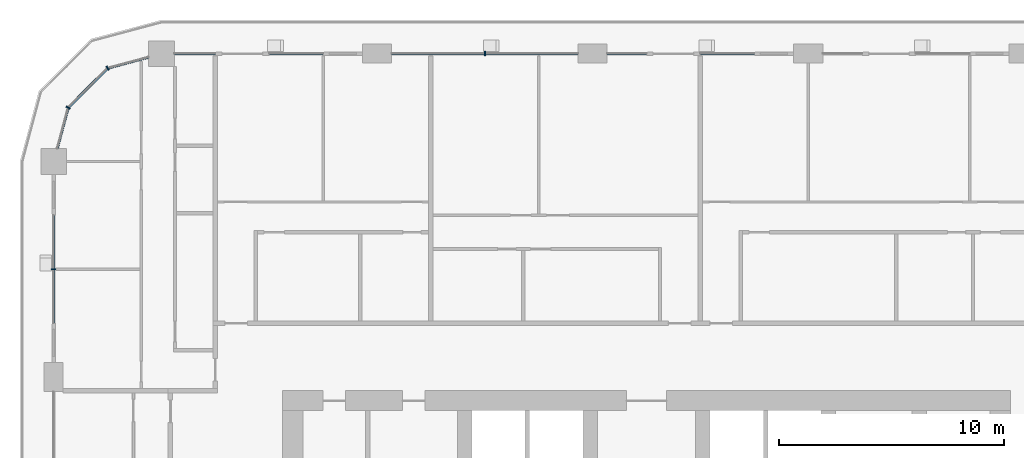
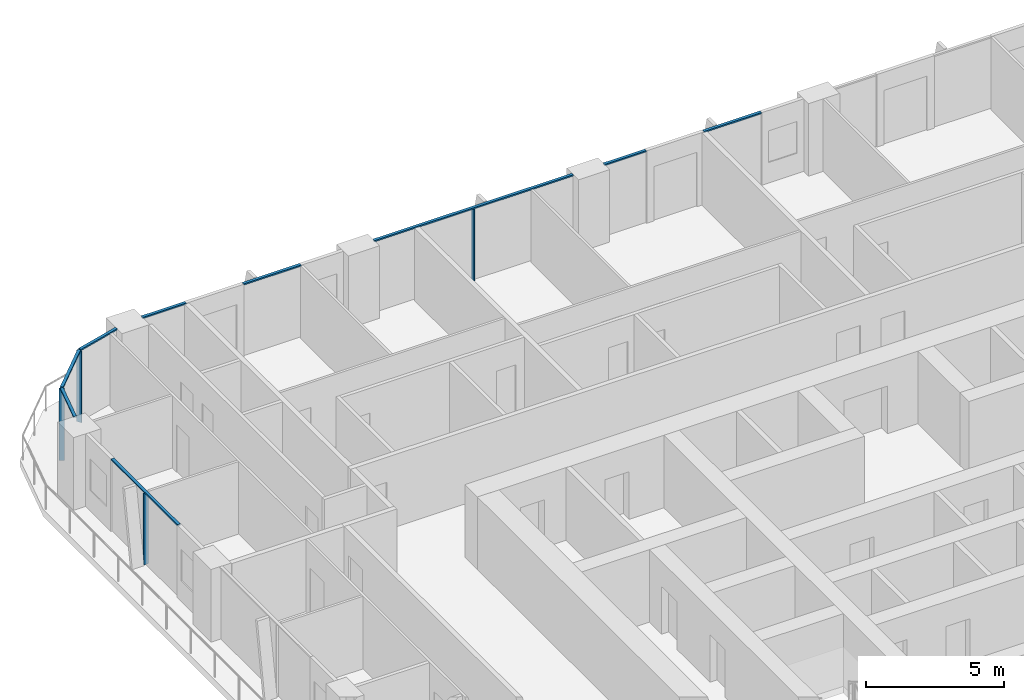
# One storey, part 5 of 22: 13 members, 5 elements without a shape of their own.
"""IFC4 building model written with IfcOpenShell, lengths in metres."""

from ifc_helpers import new_model, si_unit, direction, frame, origin, origin_2d, place, context, subcontext, project, spatial, rectangle, extrude, material, layer, layer_set, material_profile, profile_set, type_object, element, aggregate, save


model = new_model("IFC4")

# Units and contexts
model_context = context("Model", 3, precision=1e-05, world=origin(), true_north=direction((0.0, 1.0)))
body_context = subcontext(model_context, "Body", "Model", "MODEL_VIEW")
ifc_project = project(units=[si_unit("LENGTHUNIT", "METRE"), si_unit("AREAUNIT", "SQUARE_METRE"), si_unit("VOLUMEUNIT", "CUBIC_METRE"), si_unit("PLANEANGLEUNIT", "RADIAN"), si_unit("MASSUNIT", "GRAM", prefix="KILO")], contexts=[model_context])

# Site, building, storey
site_placement = place(None, origin())
site = spatial("IfcSite", under=ifc_project, at=site_placement, CompositionType="ELEMENT")
building_placement = place(site_placement, origin())
building = spatial("IfcBuilding", under=site, at=building_placement, Name="Madar Terraces", CompositionType="ELEMENT")
storey_placement = place(building_placement, frame((0.0, 0.0, 99.699951171875)))
storey = spatial("IfcBuildingStorey", under=building, at=storey_placement, Name="L25", CompositionType="ELEMENT", Elevation=99.699951171875)

# Curtain wall, member
ifc_material_1 = material(Name="Glass, ceramic frit dark grey, with black aluminium frame", Category="aluminium")
ifc_layer = layer(ifc_material_1, 0.199951171875)
ifc_layer_set = layer_set([ifc_layer], Name="Facade curtain wall, fritted glass")
curtain_wall_type = type_object("IfcCurtainWallType", Name="Facade curtain wall, fritted glass", PredefinedType="NOTDEFINED", material=ifc_layer_set)
curtain_wall_1_placement = place(storey_placement, origin())
curtain_wall_1 = element("IfcCurtainWall", 1, at=curtain_wall_1_placement, inside=storey, type_object=curtain_wall_type, Name="Outer skin curtain wall north bay 4", PredefinedType="NOTDEFINED")
ifc_material_2 = material(Name="Aluminium, black anodised", Category="aluminium")
ifc_material_profile_1 = material_profile(ifc_material_2, rectangle(XDim=0.199951171875, YDim=0.06005859375, at=origin_2d()), Name="Facade mullion 60x200")
ifc_profile_set_1 = profile_set([ifc_material_profile_1], Name="Aluminium, black anodised")
member_type_1 = type_object("IfcMemberType", Name="Facade mullion 60x200", PredefinedType="MULLION", material=ifc_profile_set_1)
member_1_placement = place(storey_placement, frame((24.0, 52.800048828125, 0.0), z_axis=(0.0, 0.0, 1.0), x_axis=(0.0, -1.0, 0.0)))
member_1 = element("IfcMember", 2, at=member_1_placement, type_object=member_type_1, Name="Mullion 1", PredefinedType="MULLION", context=body_context, shape_type="SweptSolid", body=[
    extrude(rectangle(XDim=0.199951171875, YDim=0.06005859375, at=origin_2d()), origin(), (0.0, 0.0, 1.0), 3.14013671875),
])

curtain_wall_2_placement = place(storey_placement, origin())
curtain_wall_2 = element("IfcCurtainWall", 3, at=curtain_wall_2_placement, inside=storey, type_object=curtain_wall_type, Name="Outer skin curtain wall west bay 1", PredefinedType="NOTDEFINED")
member_2_placement = place(storey_placement, frame((4.800048828125, 43.199951171875, 0.0), z_axis=(0.0, 0.0, 1.0), x_axis=(1.0, 0.0, 0.0)))
member_2 = element("IfcMember", 4, at=member_2_placement, type_object=member_type_1, Name="Mullion 1", PredefinedType="MULLION", context=body_context, shape_type="SweptSolid", body=[
    extrude(rectangle(XDim=0.199951171875, YDim=0.06005859375, at=origin_2d()), origin(), (0.0, 0.0, 1.0), 3.14013671875),
])

# Curtain wall, members
curtain_wall_3_placement = place(storey_placement, origin())
curtain_wall_3 = element("IfcCurtainWall", 5, at=curtain_wall_3_placement, inside=storey, type_object=curtain_wall_type, Name="Outer skin curtain wall north-west corner", PredefinedType="NOTDEFINED")
member_3_placement = place(storey_placement, frame((7.199951171875, 52.156982421875, 0.0), z_axis=(0.0, 0.0, 1.0), x_axis=(0.499999989586, -0.866025409797, 0.0)))
member_3 = element("IfcMember", 6, at=member_3_placement, type_object=member_type_1, Name="Mullion 1", PredefinedType="MULLION", context=body_context, shape_type="SweptSolid", body=[
    extrude(rectangle(XDim=0.199951171875, YDim=0.06005859375, at=origin_2d()), origin(), (0.0, 0.0, 1.0), 3.14013671875),
])
member_4_placement = place(storey_placement, frame((5.443115234375, 50.39990234375, 0.0), z_axis=(0.0, 0.0, 1.0), x_axis=(0.866025409797, -0.499999989586, 0.0)))
member_4 = element("IfcMember", 7, at=member_4_placement, type_object=member_type_1, Name="Mullion 2", PredefinedType="MULLION", context=body_context, shape_type="SweptSolid", body=[
    extrude(rectangle(XDim=0.199951171875, YDim=0.06005859375, at=origin_2d()), origin(), (0.0, 0.0, 1.0), 3.14013671875),
])

curtain_wall_4_placement = place(storey_placement, origin())
curtain_wall_4 = element("IfcCurtainWall", 8, at=curtain_wall_4_placement, inside=storey, type_object=curtain_wall_type, Name="Outer skin curtain wall north bay 3", PredefinedType="NOTDEFINED")
ifc_material_3 = material(Name="Aluminium, black anodised", Category="aluminium")
ifc_material_profile_2 = material_profile(ifc_material_3, rectangle(XDim=0.1201171875, YDim=0.06005859375, at=origin_2d()), Name="Facade transom 60x120")
ifc_profile_set_2 = profile_set([ifc_material_profile_2], Name="Aluminium, black anodised")
member_type_2 = type_object("IfcMemberType", Name="Facade transom 60x120", PredefinedType="USERDEFINED", material=ifc_profile_set_2)
member_5_placement = place(storey_placement, frame((36.0, 52.800048828125, 3.170166015625), z_axis=(-1.0, 0.0, 0.0), x_axis=(0.0, -1.0, 0.0)))
member_5 = element("IfcMember", 9, at=member_5_placement, type_object=member_type_2, Name="Transom 1", ObjectType="TRANSOM", PredefinedType="USERDEFINED", context=body_context, shape_type="SweptSolid", body=[
    extrude(rectangle(XDim=0.1201171875, YDim=0.06005859375, at=origin_2d()), origin(), (0.0, 0.0, 1.0), 2.39990234375),
])
member_6_placement = place(storey_placement, frame((31.199951171875, 52.800048828125, 3.170166015625), z_axis=(-1.0, 0.0, 0.0), x_axis=(0.0, -1.0, 0.0)))
member_6 = element("IfcMember", 10, at=member_6_placement, type_object=member_type_2, Name="Transom 2", ObjectType="TRANSOM", PredefinedType="USERDEFINED", context=body_context, shape_type="SweptSolid", body=[
    extrude(rectangle(XDim=0.1201171875, YDim=0.06005859375, at=origin_2d()), origin(), (0.0, 0.0, 1.0), 1.75),
])
aggregate(curtain_wall_4, [member_5, member_6])

# Member
member_7_placement = place(storey_placement, frame((28.14990234375, 52.800048828125, 3.170166015625), z_axis=(-1.0, 0.0, 0.0), x_axis=(0.0, -1.0, 0.0)))
member_7 = element("IfcMember", 11, at=member_7_placement, type_object=member_type_2, Name="Transom 1", ObjectType="TRANSOM", PredefinedType="USERDEFINED", context=body_context, shape_type="SweptSolid", body=[
    extrude(rectangle(XDim=0.1201171875, YDim=0.06005859375, at=origin_2d()), origin(), (0.0, 0.0, 1.0), 8.2998046875),
])

aggregate(curtain_wall_1, [member_1, member_7])

# Curtain wall, members
curtain_wall_5_placement = place(storey_placement, origin())
curtain_wall_5 = element("IfcCurtainWall", 12, at=curtain_wall_5_placement, inside=storey, type_object=curtain_wall_type, Name="Outer skin curtain wall north bay 5", PredefinedType="NOTDEFINED")
member_8_placement = place(storey_placement, frame((16.800048828125, 52.800048828125, 3.170166015625), z_axis=(-1.0, 0.0, 0.0), x_axis=(0.0, -1.0, 0.0)))
member_8 = element("IfcMember", 13, at=member_8_placement, type_object=member_type_2, Name="Transom 1", ObjectType="TRANSOM", PredefinedType="USERDEFINED", context=body_context, shape_type="SweptSolid", body=[
    extrude(rectangle(XDim=0.1201171875, YDim=0.06005859375, at=origin_2d()), origin(), (0.0, 0.0, 1.0), 2.400146484375),
])
member_9_placement = place(storey_placement, frame((12.0, 52.800048828125, 3.170166015625), z_axis=(-1.0, 0.0, 0.0), x_axis=(0.0, -1.0, 0.0)))
member_9 = element("IfcMember", 14, at=member_9_placement, type_object=member_type_2, Name="Transom 2", ObjectType="TRANSOM", PredefinedType="USERDEFINED", context=body_context, shape_type="SweptSolid", body=[
    extrude(rectangle(XDim=0.1201171875, YDim=0.06005859375, at=origin_2d()), origin(), (0.0, 0.0, 1.0), 1.824951171875),
])
aggregate(curtain_wall_5, [member_8, member_9])

# Member
member_10_placement = place(storey_placement, frame((4.800048828125, 45.60009765625, 3.170166015625), z_axis=(0.0, -1.0, 0.0), x_axis=(1.0, 0.0, 0.0)))
member_10 = element("IfcMember", 15, at=member_10_placement, type_object=member_type_2, Name="Transom 1", ObjectType="TRANSOM", PredefinedType="USERDEFINED", context=body_context, shape_type="SweptSolid", body=[
    extrude(rectangle(XDim=0.1201171875, YDim=0.06005859375, at=origin_2d()), origin(), (0.0, 0.0, 1.0), 4.800048828125),
])

aggregate(curtain_wall_2, [member_2, member_10])

member_11_placement = place(storey_placement, frame((9.02490234375, 52.64599609375, 3.170166015625), z_axis=(-0.965926950947, -0.258814847786, 0.0), x_axis=(0.258814847786, -0.965926950947, 0.0)))
member_11 = element("IfcMember", 16, at=member_11_placement, type_object=member_type_2, Name="Transom 1", ObjectType="TRANSOM", PredefinedType="USERDEFINED", context=body_context, shape_type="SweptSolid", body=[
    extrude(rectangle(XDim=0.1201171875, YDim=0.06005859375, at=origin_2d()), origin(), (0.0, 0.0, 1.0), 1.859130859375),
])

member_12_placement = place(storey_placement, frame((7.1787109375, 52.1357421875, 3.170166015625), z_axis=(-0.707056433593, -0.707157125196, 0.0), x_axis=(0.707157125196, -0.707056433593, 0.0)))
member_12 = element("IfcMember", 17, at=member_12_placement, type_object=member_type_2, Name="Transom 2", ObjectType="TRANSOM", PredefinedType="USERDEFINED", context=body_context, shape_type="SweptSolid", body=[
    extrude(rectangle(XDim=0.1201171875, YDim=0.06005859375, at=origin_2d()), origin(), (0.0, 0.0, 1.0), 2.424560546875),
])

member_13_placement = place(storey_placement, frame((5.435302734375, 50.37109375, 3.170166015625), z_axis=(-0.258782024434, -0.965935745187, 0.0), x_axis=(0.965935745187, -0.258782024434, 0.0)))
member_13 = element("IfcMember", 18, at=member_13_placement, type_object=member_type_2, Name="Transom 3", ObjectType="TRANSOM", PredefinedType="USERDEFINED", context=body_context, shape_type="SweptSolid", body=[
    extrude(rectangle(XDim=0.1201171875, YDim=0.06005859375, at=origin_2d()), origin(), (0.0, 0.0, 1.0), 1.859375),
])

aggregate(curtain_wall_3, [member_3, member_11, member_4, member_12, member_13])

save(model, "model.ifc")
